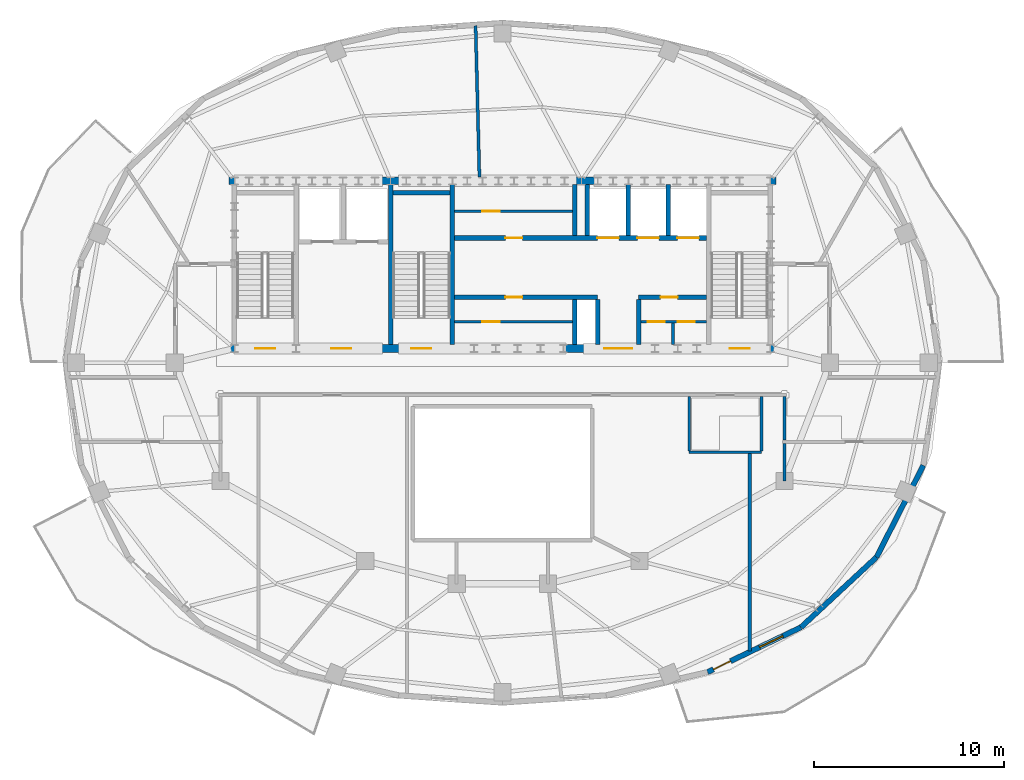
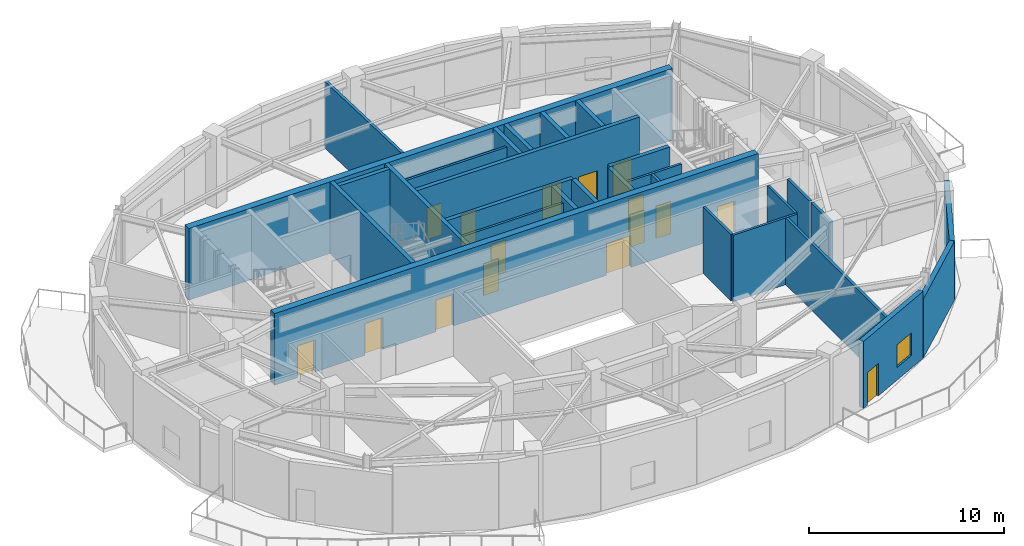
# One storey, part 4 of 9: 29 walls, 16 doors, 1 window, 17 openings.
"""IFC4 building model written with IfcOpenShell, lengths in metres."""

from ifc_helpers import new_model, si_unit, direction, frame, frame_2d, origin, place, context, subcontext, project, spatial, rectangle, extrude, material, layer, layer_set, type_object, element, fill, save


model = new_model("IFC4")

# Units and contexts
model_context = context("Model", 3, precision=1e-05, world=origin(), true_north=direction((0.0, 1.0)))
body_context = subcontext(model_context, "Body", "Model", "MODEL_VIEW")
ifc_project = project(units=[si_unit("LENGTHUNIT", "METRE"), si_unit("AREAUNIT", "SQUARE_METRE"), si_unit("VOLUMEUNIT", "CUBIC_METRE"), si_unit("PLANEANGLEUNIT", "RADIAN"), si_unit("MASSUNIT", "GRAM", prefix="KILO")], contexts=[model_context])

# Site, building, storey
site_placement = place(None, origin())
site = spatial("IfcSite", under=ifc_project, at=site_placement, CompositionType="ELEMENT")
building_placement = place(site_placement, origin())
building = spatial("IfcBuilding", under=site, at=building_placement, Name="Haldorwick Loom Tower", CompositionType="ELEMENT")
storey_placement = place(building_placement, frame((0.0, 0.0, 282.0)))
storey = spatial("IfcBuildingStorey", under=building, at=storey_placement, Name="L76", CompositionType="ELEMENT", Elevation=282.0)

# Wall, openings, door, window
ifc_material_1 = material(Name="Pressed Clay Face Brick and Insulated Masonry Backup Assembly", Category="masonry")
ifc_layer_1 = layer(ifc_material_1, 0.280029296875, Name="Pressed Clay Face Brick and Insulated Masonry Backup Assembly", Category="masonry")
ifc_layer_set_1 = layer_set([ifc_layer_1], Name="Pressed Clay Face Brick and Insulated Masonry Backup Assembly")
wall_type_1 = type_object("IfcWallType", Name="ARC-WL-EXT280", PredefinedType="STANDARD", material=ifc_layer_set_1)
wall_1_placement = place(storey_placement, frame((46.768798828125, 9.755859375, 0.0), z_axis=(0.0, 0.0, 1.0), x_axis=(0.901083511605, 0.433645598518, 0.0)))
wall_1 = element("IfcWall", 1, at=wall_1_placement, inside=storey, type_object=wall_type_1, Name="L76 Brick Pier and Spandrel Wall 21", PredefinedType="STANDARD", context=body_context, shape_type="SweptSolid", body=[
    extrude(rectangle(XDim=5.440185546875, YDim=0.280029296875, at=frame_2d((2.72021484375, 0.0))), origin(), (0.0, 0.0, 1.0), 4.199951171875),
])
opening_1_placement = place(wall_1_placement, frame((0.340087890625, 0.0, 0.0)))
opening_1 = element("IfcOpeningElement", 2, at=opening_1_placement, cuts=wall_1, Name="Opening D-BL10", PredefinedType="OPENING", context=body_context, shape_type="SweptSolid", body=[
    extrude(rectangle(XDim=1.0, YDim=2.0400390625, at=frame_2d((0.5, 1.02001953125))), frame((0.0, 0.14990234375, 0.0), z_axis=(0.0, -1.0, 0.0), x_axis=(1.0, 0.0, 0.0)), (0.0, 0.0, 1.0), 0.300048828125),
])
opening_2_placement = place(wall_1_placement, frame((3.0322265625, 0.0, 0.800048828125)))
opening_2 = element("IfcOpeningElement", 3, at=opening_2_placement, cuts=wall_1, Name="Opening W-02B", PredefinedType="OPENING", context=body_context, shape_type="SweptSolid", body=[
    extrude(rectangle(XDim=1.35009765625, YDim=1.419921875, at=frame_2d((0.675048828125, 0.7099609375))), frame((0.0, 0.14990234375, 0.0), z_axis=(0.0, -1.0, 0.0), x_axis=(1.0, 0.0, 0.0)), (0.0, 0.0, 1.0), 0.300048828125),
])
ifc_material_2 = material(Name="Thermally Broken Anodized Aluminium Curtain Wall Framing", Category="aluminium")
door_type_1 = type_object("IfcDoorType", Name="ARC-DR-BAL100", OperationType="NOTDEFINED", PredefinedType="DOOR", material=ifc_material_2)
door_1_placement = place(opening_1_placement, origin())
door_1 = element("IfcDoor", 4, at=door_1_placement, inside=storey, type_object=door_type_1, Name="L76 Outdoor Terrace Door SLB-L76-BAL_SE", OperationType="SINGLE_SWING_RIGHT", OverallHeight=2.0400390625, OverallWidth=1.0, PredefinedType="DOOR", context=body_context, shape_type="SweptSolid", body=[
    extrude(rectangle(XDim=1.0, YDim=2.0400390625, at=frame_2d((0.5, 1.02001953125))), frame((0.0, 0.02490234375, 0.0), z_axis=(0.0, -1.0, 0.0), x_axis=(1.0, 0.0, 0.0)), (0.0, 0.0, 1.0), 0.050048828125),
])
fill(opening_1, door_1)
ifc_material_3 = material(Name="Triple-Glazed Low-E Argon Insulated Glazing Unit", Category="glass")
window_type = type_object("IfcWindowType", Name="ARC-WIN-W135", PartitioningType="SINGLE_PANEL", PredefinedType="WINDOW", material=ifc_material_3)
window_placement = place(opening_2_placement, origin())
window = element("IfcWindow", 5, at=window_placement, inside=storey, type_object=window_type, Name="L76 Deep-Set Zone 7A Window 21", OverallHeight=1.419921875, OverallWidth=1.35009765625, PartitioningType="SINGLE_PANEL", PredefinedType="WINDOW", context=body_context, shape_type="SweptSolid", body=[
    extrude(rectangle(XDim=1.35009765625, YDim=1.419921875, at=frame_2d((0.675048828125, 0.7099609375))), frame((0.0, 0.030029296875, 0.0), z_axis=(0.0, -1.0, 0.0), x_axis=(1.0, 0.0, 0.0)), (0.0, 0.0, 1.0), 0.06005859375),
])
fill(opening_2, window)

# Walls
for number, where, z_axis, x_axis, name in (
    (6, (51.6708984375, 12.114990234375, 0.0), (0.0, 0.0, 1.0), (0.733156506145, 0.680059951399, 0.0), "L76 Brick Pier and Spandrel Wall 22"),
    (7, (55.638671875, 15.79541015625, 0.0), (0.0, 0.0, 1.0), (0.454417014044, 0.890789075678, 0.0), "L76 Brick Pier and Spandrel Wall 23"),
):
    element("IfcWall", number, at=place(storey_placement, frame(where, z_axis=z_axis, x_axis=x_axis)), inside=storey, type_object=wall_type_1, Name=name, PredefinedType="STANDARD", context=body_context, shape_type="SweptSolid", body=[
        extrude(rectangle(XDim=5.411865234375, YDim=0.280029296875, at=frame_2d((2.7060546875, 0.0))), origin(), (0.0, 0.0, 1.0), 3.708984375),
    ])
ifc_material_4 = material(Name="Fire-Rated Type X Gypsum Stud Assembly EI 60")
ifc_layer_2 = layer(ifc_material_4, 0.159912109375, Name="Fire-Rated Type X Gypsum Stud Assembly EI 60")
ifc_layer_set_2 = layer_set([ifc_layer_2], Name="Fire-Rated Type X Gypsum Stud Assembly EI 60")
wall_type_2 = type_object("IfcWallType", Name="ARC-WL-FIRE160", PredefinedType="PARTITIONING", material=ifc_layer_set_2)
wall_2_placement = place(storey_placement, frame((50.800048828125, 21.93310546875, 0.0), z_axis=(0.0, 0.0, 1.0), x_axis=(0.0, 1.0, 0.0)))
element("IfcWall", 8, at=wall_2_placement, inside=storey, type_object=wall_type_2, Name="L76 Residential Fire Partition L76-CR-STE", PredefinedType="PARTITIONING", context=body_context, shape_type="SweptSolid", body=[
    extrude(rectangle(XDim=2.283935546875, YDim=0.159912109375, at=frame_2d((1.14208984375, 0.0))), origin(), (0.0, 0.0, 1.0), 4.18505859375),
])
wall_3_placement = place(storey_placement, frame((50.800048828125, 21.76708984375, 0.0), z_axis=(0.0, 0.0, 1.0), x_axis=(0.0, -1.0, 0.0)))
element("IfcWall", 9, at=wall_3_placement, inside=storey, type_object=wall_type_2, Name="L76 Residential Fire Partition L76-ICA-01", PredefinedType="PARTITIONING", context=body_context, shape_type="SweptSolid", body=[
    extrude(rectangle(XDim=1.967041015625, YDim=0.159912109375, at=frame_2d((0.9833984375, 0.0))), origin(), (0.0, 0.0, 1.0), 4.18505859375),
])
wall_4_placement = place(storey_placement, frame((34.792236328125, 35.7529296875, 0.0), z_axis=(0.0, 0.0, 1.0), x_axis=(-0.025356947894, 0.999678460903, 0.0)))
element("IfcWall", 10, at=wall_4_placement, inside=storey, type_object=wall_type_2, Name="L76 Residential Fire Partition L76-UPN-C3", PredefinedType="PARTITIONING", context=body_context, shape_type="SweptSolid", body=[
    extrude(rectangle(XDim=7.943115234375, YDim=0.159912109375, at=frame_2d((3.9716796875, 0.0))), origin(), (0.0, 0.0, 1.0), 4.18505859375),
])
wall_5_placement = place(storey_placement, frame((48.984375, 10.8720703125, 0.0), z_axis=(0.0, 0.0, 1.0), x_axis=(0.0, 1.0, 0.0)))
element("IfcWall", 11, at=wall_5_placement, inside=storey, type_object=wall_type_2, Name="L76 Suite Split Wall", PredefinedType="PARTITIONING", context=body_context, shape_type="SweptSolid", body=[
    extrude(rectangle(XDim=10.35498046875, YDim=0.159912109375, at=frame_2d((5.177490234375, 0.0))), origin(), (0.0, 0.0, 1.0), 4.18505859375),
])

# Wall, opening, door
ifc_layer_3 = layer(ifc_material_4, 0.139892578125, Name="Fire-Rated Type X Gypsum Stud Assembly EI 60")
ifc_layer_set_3 = layer_set([ifc_layer_3], Name="Fire-Rated Type X Gypsum Stud Assembly EI 60")
wall_type_3 = type_object("IfcWallType", Name="ARC-WL-PART140", PredefinedType="PARTITIONING", material=ifc_layer_set_3)
wall_6_placement = place(storey_placement, frame((33.492919921875, 33.9599609375, 0.0), z_axis=(0.0, 0.0, 1.0), x_axis=(1.0, 0.0, 0.0)))
wall_6 = element("IfcWall", 12, at=wall_6_placement, inside=storey, type_object=wall_type_3, Name="L76 Alcove Partition", PredefinedType="PARTITIONING", context=body_context, shape_type="SweptSolid", body=[
    extrude(rectangle(XDim=6.18408203125, YDim=0.139892578125, at=frame_2d((3.092041015625, 0.0))), origin(), (0.0, 0.0, 1.0), 4.18505859375),
])
opening_3_placement = place(wall_6_placement, frame((1.45703125, 0.0, 0.0)))
opening_3 = element("IfcOpeningElement", 13, at=opening_3_placement, cuts=wall_6, Name="Opening D-FD60A", PredefinedType="OPENING", context=body_context, shape_type="SweptSolid", body=[
    extrude(rectangle(XDim=0.89990234375, YDim=2.0, at=frame_2d((0.449951171875, 1.0))), frame((0.0, 0.079833984375, 0.0), z_axis=(0.0, -1.0, 0.0), x_axis=(1.0, 0.0, 0.0)), (0.0, 0.0, 1.0), 0.159912109375),
])
ifc_material_5 = material(Name="Hollow Steel Fire Door Assembly", Category="steel")
door_type_2 = type_object("IfcDoorType", Name="ARC-DR-FD60-90", OperationType="NOTDEFINED", PredefinedType="DOOR", material=ifc_material_5)
door_2_placement = place(opening_3_placement, frame((0.89990234375, 0.0, 0.0), z_axis=(0.0, 0.0, 1.0), x_axis=(-1.0, 0.0, 0.0)))
door_2 = element("IfcDoor", 14, at=door_2_placement, inside=storey, type_object=door_type_2, Name="L76 Trunk Store Door", OperationType="SINGLE_SWING_LEFT", OverallHeight=2.0, OverallWidth=0.89990234375, PredefinedType="DOOR", context=body_context, shape_type="SweptSolid", body=[
    extrude(rectangle(XDim=0.89990234375, YDim=2.0, at=frame_2d((0.449951171875, 1.0))), frame((0.0, 0.02490234375, 0.0), z_axis=(0.0, -1.0, 0.0), x_axis=(1.0, 0.0, 0.0)), (0.0, 0.0, 1.0), 0.050048828125),
])
fill(opening_3, door_2)

wall_7_placement = place(storey_placement, frame((33.492919921875, 28.159912109375, 0.0), z_axis=(0.0, 0.0, 1.0), x_axis=(1.0, 0.0, 0.0)))
wall_7 = element("IfcWall", 15, at=wall_7_placement, inside=storey, type_object=wall_type_3, Name="L76 Mid-Bank Horizontal Partition", PredefinedType="PARTITIONING", context=body_context, shape_type="SweptSolid", body=[
    extrude(rectangle(XDim=6.18408203125, YDim=0.139892578125, at=frame_2d((3.092041015625, 0.0))), origin(), (0.0, 0.0, 1.0), 4.18505859375),
])
opening_4_placement = place(wall_7_placement, frame((1.45703125, 0.0, 0.0)))
opening_4 = element("IfcOpeningElement", 16, at=opening_4_placement, cuts=wall_7, Name="Opening D-FD60A", PredefinedType="OPENING", context=body_context, shape_type="SweptSolid", body=[
    extrude(rectangle(XDim=0.89990234375, YDim=2.0, at=frame_2d((0.449951171875, 1.0))), frame((0.0, 0.079833984375, 0.0), z_axis=(0.0, -1.0, 0.0), x_axis=(1.0, 0.0, 0.0)), (0.0, 0.0, 1.0), 0.159912109375),
])
door_3_placement = place(opening_4_placement, origin())
door_3 = element("IfcDoor", 17, at=door_3_placement, inside=storey, type_object=door_type_2, Name="L76 Archive Store Door", OperationType="SINGLE_SWING_RIGHT", OverallHeight=2.0, OverallWidth=0.89990234375, PredefinedType="DOOR", context=body_context, shape_type="SweptSolid", body=[
    extrude(rectangle(XDim=0.89990234375, YDim=2.0, at=frame_2d((0.449951171875, 1.0))), frame((0.0, 0.02490234375, 0.0), z_axis=(0.0, -1.0, 0.0), x_axis=(1.0, 0.0, 0.0)), (0.0, 0.0, 1.0), 0.050048828125),
])
fill(opening_4, door_3)

# Wall, openings, doors
wall_8_placement = place(storey_placement, frame((43.27294921875, 28.159912109375, 0.0), z_axis=(0.0, 0.0, 1.0), x_axis=(1.0, 0.0, 0.0)))
wall_8 = element("IfcWall", 18, at=wall_8_placement, inside=storey, type_object=wall_type_3, Name="L76 Telecom Partition", PredefinedType="PARTITIONING", context=body_context, shape_type="SweptSolid", body=[
    extrude(rectangle(XDim=3.43408203125, YDim=0.139892578125, at=frame_2d((1.717041015625, 0.0))), origin(), (0.0, 0.0, 1.0), 4.18505859375),
])
opening_5_placement = place(wall_8_placement, frame((0.366943359375, 0.0, 0.0)))
opening_5 = element("IfcOpeningElement", 19, at=opening_5_placement, cuts=wall_8, Name="Opening D-BT88", PredefinedType="OPENING", context=body_context, shape_type="SweptSolid", body=[
    extrude(rectangle(XDim=0.8798828125, YDim=2.02001953125, at=frame_2d((0.43994140625, 1.010009765625))), frame((0.0, 0.079833984375, 0.0), z_axis=(0.0, -1.0, 0.0), x_axis=(1.0, 0.0, 0.0)), (0.0, 0.0, 1.0), 0.159912109375),
])
opening_6_placement = place(wall_8_placement, frame((1.93701171875, 0.0, 0.0)))
opening_6 = element("IfcOpeningElement", 20, at=opening_6_placement, cuts=wall_8, Name="Opening D-BT88", PredefinedType="OPENING", context=body_context, shape_type="SweptSolid", body=[
    extrude(rectangle(XDim=0.8798828125, YDim=2.02001953125, at=frame_2d((0.43994140625, 1.010009765625))), frame((0.0, 0.079833984375, 0.0), z_axis=(0.0, -1.0, 0.0), x_axis=(1.0, 0.0, 0.0)), (0.0, 0.0, 1.0), 0.159912109375),
])
ifc_material_6 = material(Name="Solid Core Birch Architectural Door")
door_type_3 = type_object("IfcDoorType", Name="ARC-DR-BATH88", OperationType="NOTDEFINED", PredefinedType="DOOR", material=ifc_material_6)
door_4_placement = place(opening_5_placement, origin())
door_4 = element("IfcDoor", 21, at=door_4_placement, inside=storey, type_object=door_type_3, Name="L76 Telecom Room Door", OperationType="SINGLE_SWING_LEFT", OverallHeight=2.02001953125, OverallWidth=0.8798828125, PredefinedType="DOOR", context=body_context, shape_type="SweptSolid", body=[
    extrude(rectangle(XDim=0.8798828125, YDim=2.02001953125, at=frame_2d((0.43994140625, 1.010009765625))), frame((0.0, 0.02490234375, 0.0), z_axis=(0.0, -1.0, 0.0), x_axis=(1.0, 0.0, 0.0)), (0.0, 0.0, 1.0), 0.050048828125),
])
fill(opening_5, door_4)
door_5_placement = place(opening_6_placement, origin())
door_5 = element("IfcDoor", 22, at=door_5_placement, inside=storey, type_object=door_type_3, Name="L76 Metering Closet Door", OperationType="SINGLE_SWING_RIGHT", OverallHeight=2.02001953125, OverallWidth=0.8798828125, PredefinedType="DOOR", context=body_context, shape_type="SweptSolid", body=[
    extrude(rectangle(XDim=0.8798828125, YDim=2.02001953125, at=frame_2d((0.43994140625, 1.010009765625))), frame((0.0, 0.02490234375, 0.0), z_axis=(0.0, -1.0, 0.0), x_axis=(1.0, 0.0, 0.0)), (0.0, 0.0, 1.0), 0.050048828125),
])
fill(opening_6, door_5)

# Walls
wall_9_placement = place(storey_placement, frame((44.949951171875, 26.952880859375, 0.0), z_axis=(0.0, 0.0, 1.0), x_axis=(0.0, 1.0, 0.0)))
element("IfcWall", 23, at=wall_9_placement, inside=storey, type_object=wall_type_3, Name="L76 Metering Sub-Partition", PredefinedType="PARTITIONING", context=body_context, shape_type="SweptSolid", body=[
    extrude(rectangle(XDim=1.134033203125, YDim=0.139892578125, at=frame_2d((0.56689453125, 0.0))), origin(), (0.0, 0.0, 1.0), 4.18505859375),
])
wall_10_placement = place(storey_placement, frame((45.800048828125, 21.300048828125, 0.0), z_axis=(0.0, 0.0, 1.0), x_axis=(1.0, 0.0, 0.0)))
element("IfcWall", 24, at=wall_10_placement, inside=storey, type_object=wall_type_3, Name="L76 Residential Fire Partition L76-CWC-S", PredefinedType="PARTITIONING", context=body_context, shape_type="SweptSolid", body=[
    extrude(rectangle(XDim=3.800048828125, YDim=0.139892578125, at=frame_2d((1.89990234375, 0.0))), origin(), (0.0, 0.0, 1.0), 4.18505859375),
])
for number, where, z_axis, x_axis, name in (
    (25, (45.800048828125, 21.373046875, 0.0), (0.0, 0.0, 1.0), (0.0, 1.0, 0.0), "L76 Residential Fire Partition L76-CWC-W"),
    (26, (49.60009765625, 21.373046875, 0.0), (0.0, 0.0, 1.0), (0.0, 1.0, 0.0), "L76 Residential Fire Partition L76-CWC-E"),
):
    element("IfcWall", number, at=place(storey_placement, frame(where, z_axis=z_axis, x_axis=x_axis)), inside=storey, type_object=wall_type_3, Name=name, PredefinedType="PARTITIONING", context=body_context, shape_type="SweptSolid", body=[
        extrude(rectangle(XDim=2.843994140625, YDim=0.139892578125, at=frame_2d((1.421875, 0.0))), origin(), (0.0, 0.0, 1.0), 4.18505859375),
    ])

# Wall, openings, doors
ifc_material_7 = material(Name="Concrete C50 (50 MPa)", Category="concrete")
ifc_layer_4 = layer(ifc_material_7, 0.39990234375, Name="Concrete C50 (50 MPa)", Category="concrete")
ifc_layer_set_4 = layer_set([ifc_layer_4], Name="Concrete C50 (50 MPa)")
wall_type_4 = type_object("IfcWallType", Name="STR-WL-CORE400", PredefinedType="SHEAR", material=ifc_layer_set_4)
wall_11_placement = place(storey_placement, frame((21.64990234375, 26.75, 0.0), z_axis=(0.0, 0.0, 1.0), x_axis=(1.0, 0.0, 0.0)))
wall_11 = element("IfcWall", 27, at=wall_11_placement, inside=storey, type_object=wall_type_4, Name="L76 Core Shear Wall S", PredefinedType="SHEAR", context=body_context, shape_type="SweptSolid", body=[
    extrude(rectangle(XDim=28.7001953125, YDim=0.39990234375, at=frame_2d((14.35009765625, 0.0))), origin(), (0.0, 0.0, 1.0), 4.5),
])
opening_7_placement = place(wall_11_placement, frame((1.375, 0.0, 0.0)))
opening_7 = element("IfcOpeningElement", 28, at=opening_7_placement, cuts=wall_11, Name="Opening D-FD60", PredefinedType="OPENING", context=body_context, shape_type="SweptSolid", body=[
    extrude(rectangle(XDim=1.050048828125, YDim=2.0, at=frame_2d((0.52490234375, 1.0))), frame((0.0, 0.2099609375, 0.0), z_axis=(0.0, -1.0, 0.0), x_axis=(1.0, 0.0, 0.0)), (0.0, 0.0, 1.0), 0.419921875),
])
opening_8_placement = place(wall_11_placement, frame((5.375, 0.0, 0.0)))
opening_8 = element("IfcOpeningElement", 29, at=opening_8_placement, cuts=wall_11, Name="Opening D-FD60", PredefinedType="OPENING", context=body_context, shape_type="SweptSolid", body=[
    extrude(rectangle(XDim=1.050048828125, YDim=2.0, at=frame_2d((0.52490234375, 1.0))), frame((0.0, 0.2099609375, 0.0), z_axis=(0.0, -1.0, 0.0), x_axis=(1.0, 0.0, 0.0)), (0.0, 0.0, 1.0), 0.419921875),
])
opening_9_placement = place(wall_11_placement, frame((9.574951171875, 0.0, 0.0)))
opening_9 = element("IfcOpeningElement", 30, at=opening_9_placement, cuts=wall_11, Name="Opening D-FD60", PredefinedType="OPENING", context=body_context, shape_type="SweptSolid", body=[
    extrude(rectangle(XDim=1.050048828125, YDim=2.0, at=frame_2d((0.52490234375, 1.0))), frame((0.0, 0.2099609375, 0.0), z_axis=(0.0, -1.0, 0.0), x_axis=(1.0, 0.0, 0.0)), (0.0, 0.0, 1.0), 0.419921875),
])
opening_10_placement = place(wall_11_placement, frame((19.705078125, 0.0, 0.0)))
opening_10 = element("IfcOpeningElement", 31, at=opening_10_placement, cuts=wall_11, Name="Opening D-LB15", PredefinedType="OPENING", context=body_context, shape_type="SweptSolid", body=[
    extrude(rectangle(XDim=1.449951171875, YDim=2.0, at=frame_2d((0.72509765625, 1.0))), frame((0.0, 0.2099609375, 0.0), z_axis=(0.0, -1.0, 0.0), x_axis=(1.0, 0.0, 0.0)), (0.0, 0.0, 1.0), 0.419921875),
])
opening_11_placement = place(wall_11_placement, frame((26.27490234375, 0.0, 0.0)))
opening_11 = element("IfcOpeningElement", 32, at=opening_11_placement, cuts=wall_11, Name="Opening D-FD60", PredefinedType="OPENING", context=body_context, shape_type="SweptSolid", body=[
    extrude(rectangle(XDim=1.050048828125, YDim=2.0, at=frame_2d((0.52490234375, 1.0))), frame((0.0, 0.2099609375, 0.0), z_axis=(0.0, -1.0, 0.0), x_axis=(1.0, 0.0, 0.0)), (0.0, 0.0, 1.0), 0.419921875),
])
door_type_4 = type_object("IfcDoorType", Name="ARC-DR-FD60", OperationType="NOTDEFINED", PredefinedType="DOOR", material=ifc_material_5)
door_6_placement = place(opening_7_placement, origin())
door_6 = element("IfcDoor", 33, at=door_6_placement, inside=storey, type_object=door_type_4, Name="L76 Exit Stair ST-01 Fire Door", OperationType="SINGLE_SWING_RIGHT", OverallHeight=2.0, OverallWidth=1.050048828125, PredefinedType="DOOR", context=body_context, shape_type="SweptSolid", body=[
    extrude(rectangle(XDim=1.050048828125, YDim=2.0, at=frame_2d((0.52490234375, 1.0))), frame((0.0, 0.02490234375, 0.0), z_axis=(0.0, -1.0, 0.0), x_axis=(1.0, 0.0, 0.0)), (0.0, 0.0, 1.0), 0.050048828125),
])
fill(opening_7, door_6)
door_7_placement = place(opening_8_placement, origin())
door_7 = element("IfcDoor", 34, at=door_7_placement, inside=storey, type_object=door_type_4, Name="L76 Firefighting Lift Lobby Fire Door", OperationType="SINGLE_SWING_LEFT", OverallHeight=2.0, OverallWidth=1.050048828125, PredefinedType="DOOR", context=body_context, shape_type="SweptSolid", body=[
    extrude(rectangle(XDim=1.050048828125, YDim=2.0, at=frame_2d((0.52490234375, 1.0))), frame((0.0, 0.02490234375, 0.0), z_axis=(0.0, -1.0, 0.0), x_axis=(1.0, 0.0, 0.0)), (0.0, 0.0, 1.0), 0.050048828125),
])
fill(opening_8, door_7)
door_8_placement = place(opening_9_placement, origin())
door_8 = element("IfcDoor", 35, at=door_8_placement, inside=storey, type_object=door_type_4, Name="L76 Exit Stair ST-03 Fire Door", OperationType="SINGLE_SWING_LEFT", OverallHeight=2.0, OverallWidth=1.050048828125, PredefinedType="DOOR", context=body_context, shape_type="SweptSolid", body=[
    extrude(rectangle(XDim=1.050048828125, YDim=2.0, at=frame_2d((0.52490234375, 1.0))), frame((0.0, 0.02490234375, 0.0), z_axis=(0.0, -1.0, 0.0), x_axis=(1.0, 0.0, 0.0)), (0.0, 0.0, 1.0), 0.050048828125),
])
fill(opening_9, door_8)
door_9_placement = place(opening_11_placement, origin())
door_9 = element("IfcDoor", 36, at=door_9_placement, inside=storey, type_object=door_type_4, Name="L76 Exit Stair ST-02 Fire Door", OperationType="SINGLE_SWING_LEFT", OverallHeight=2.0, OverallWidth=1.050048828125, PredefinedType="DOOR", context=body_context, shape_type="SweptSolid", body=[
    extrude(rectangle(XDim=1.050048828125, YDim=2.0, at=frame_2d((0.52490234375, 1.0))), frame((0.0, 0.02490234375, 0.0), z_axis=(0.0, -1.0, 0.0), x_axis=(1.0, 0.0, 0.0)), (0.0, 0.0, 1.0), 0.050048828125),
])
fill(opening_11, door_9)
ifc_material_8 = material(Name="Thermally Broken Anodized Aluminium and Tempered Glass", Category="aluminium")
door_type_5 = type_object("IfcDoorType", Name="ARC-DR-LOB150", OperationType="NOTDEFINED", PredefinedType="DOOR", material=ifc_material_8)
door_10_placement = place(opening_10_placement, frame((1.449951171875, 0.0, 0.0), z_axis=(0.0, 0.0, 1.0), x_axis=(-1.0, 0.0, 0.0)))
door_10 = element("IfcDoor", 37, at=door_10_placement, inside=storey, type_object=door_type_5, Name="L76 Passenger Lift Lobby Fire Door", OperationType="DOUBLE_DOOR_SINGLE_SWING", OverallHeight=2.0, OverallWidth=1.449951171875, PredefinedType="DOOR", context=body_context, shape_type="SweptSolid", body=[
    extrude(rectangle(XDim=1.449951171875, YDim=2.0, at=frame_2d((0.72509765625, 1.0))), frame((0.0, 0.02490234375, 0.0), z_axis=(0.0, -1.0, 0.0), x_axis=(1.0, 0.0, 0.0)), (0.0, 0.0, 1.0), 0.050048828125),
])
fill(opening_10, door_10)

# Walls
wall_12_placement = place(storey_placement, frame((50.35009765625, 35.550048828125, 0.0), z_axis=(0.0, 0.0, 1.0), x_axis=(-1.0, 0.0, 0.0)))
element("IfcWall", 38, at=wall_12_placement, inside=storey, type_object=wall_type_4, Name="L76 Core Shear Wall N", PredefinedType="SHEAR", context=body_context, shape_type="SweptSolid", body=[
    extrude(rectangle(XDim=28.7001953125, YDim=0.39990234375, at=frame_2d((14.35009765625, 0.0))), origin(), (0.0, 0.0, 1.0), 4.5),
])
ifc_layer_5 = layer(ifc_material_7, 0.239990234375, Name="Concrete C50 (50 MPa)", Category="concrete")
ifc_layer_set_5 = layer_set([ifc_layer_5], Name="Concrete C50 (50 MPa)")
wall_type_5 = type_object("IfcWallType", Name="STR-WL-SHAFT240", PredefinedType="SHEAR", material=ifc_layer_set_5)
for number, where, z_axis, x_axis, name in (
    (39, (30.1298828125, 26.952880859375, 0.0), (0.0, 0.0, 1.0), (0.0, 1.0, 0.0), "L76 Core Shear Wall 2"),
    (40, (33.3701171875, 26.952880859375, 0.0), (0.0, 0.0, 1.0), (0.0, 1.0, 0.0), "L76 Core Shear Wall 3"),
):
    element("IfcWall", number, at=place(storey_placement, frame(where, z_axis=z_axis, x_axis=x_axis)), inside=storey, type_object=wall_type_5, Name=name, PredefinedType="SHEAR", context=body_context, shape_type="SweptSolid", body=[
        extrude(rectangle(XDim=8.39404296875, YDim=0.239990234375, at=frame_2d((4.197021484375, 0.0))), origin(), (0.0, 0.0, 1.0), 4.5),
    ])
wall_13_placement = place(storey_placement, frame((30.2529296875, 34.919921875, 0.0), z_axis=(0.0, 0.0, 1.0), x_axis=(1.0, 0.0, 0.0)))
element("IfcWall", 41, at=wall_13_placement, inside=storey, type_object=wall_type_5, Name="L76 Core Shear Wall 3N", PredefinedType="SHEAR", context=body_context, shape_type="SweptSolid", body=[
    extrude(rectangle(XDim=2.994140625, YDim=0.239990234375, at=frame_2d((1.4970703125, 0.0))), origin(), (0.0, 0.0, 1.0), 4.5),
])

# Wall, openings, doors
wall_14_placement = place(storey_placement, frame((33.492919921875, 32.550048828125, 0.0), z_axis=(0.0, 0.0, 1.0), x_axis=(1.0, 0.0, 0.0)))
wall_14 = element("IfcWall", 42, at=wall_14_placement, inside=storey, type_object=wall_type_5, Name="L76 Core Shear Wall LN", PredefinedType="SHEAR", context=body_context, shape_type="SweptSolid", body=[
    extrude(rectangle(XDim=13.214111328125, YDim=0.239990234375, at=frame_2d((6.60693359375, 0.0))), origin(), (0.0, 0.0, 1.0), 4.5),
])
opening_12_placement = place(wall_14_placement, frame((2.656982421875, 0.0, 0.0)))
opening_12 = element("IfcOpeningElement", 43, at=opening_12_placement, cuts=wall_14, Name="Opening D-FD60A", PredefinedType="OPENING", context=body_context, shape_type="SweptSolid", body=[
    extrude(rectangle(XDim=0.89990234375, YDim=2.0, at=frame_2d((0.449951171875, 1.0))), frame((0.0, 0.1298828125, 0.0), z_axis=(0.0, -1.0, 0.0), x_axis=(1.0, 0.0, 0.0)), (0.0, 0.0, 1.0), 0.260009765625),
])
opening_13_placement = place(wall_14_placement, frame((7.4970703125, 0.0, 0.0)))
opening_13 = element("IfcOpeningElement", 44, at=opening_13_placement, cuts=wall_14, Name="Opening LD-H1", PredefinedType="OPENING", context=body_context, shape_type="SweptSolid", body=[
    extrude(rectangle(XDim=1.1201171875, YDim=2.0, at=frame_2d((0.56005859375, 1.0))), frame((0.0, 0.1298828125, 0.0), z_axis=(0.0, -1.0, 0.0), x_axis=(1.0, 0.0, 0.0)), (0.0, 0.0, 1.0), 0.260009765625),
])
opening_14_placement = place(wall_14_placement, frame((9.596923828125, 0.0, 0.0)))
opening_14 = element("IfcOpeningElement", 45, at=opening_14_placement, cuts=wall_14, Name="Opening LD-H2", PredefinedType="OPENING", context=body_context, shape_type="SweptSolid", body=[
    extrude(rectangle(XDim=1.1201171875, YDim=2.0, at=frame_2d((0.56005859375, 1.0))), frame((0.0, 0.1298828125, 0.0), z_axis=(0.0, -1.0, 0.0), x_axis=(1.0, 0.0, 0.0)), (0.0, 0.0, 1.0), 0.260009765625),
])
opening_15_placement = place(wall_14_placement, frame((11.697021484375, 0.0, 0.0)))
opening_15 = element("IfcOpeningElement", 46, at=opening_15_placement, cuts=wall_14, Name="Opening LD-H3", PredefinedType="OPENING", context=body_context, shape_type="SweptSolid", body=[
    extrude(rectangle(XDim=1.1201171875, YDim=2.0, at=frame_2d((0.56005859375, 1.0))), frame((0.0, 0.1298828125, 0.0), z_axis=(0.0, -1.0, 0.0), x_axis=(1.0, 0.0, 0.0)), (0.0, 0.0, 1.0), 0.260009765625),
])
door_11_placement = place(opening_12_placement, frame((0.89990234375, 0.0, 0.0), z_axis=(0.0, 0.0, 1.0), x_axis=(-1.0, 0.0, 0.0)))
door_11 = element("IfcDoor", 47, at=door_11_placement, inside=storey, type_object=door_type_2, Name="L76 Floor Equipment Door", OperationType="SINGLE_SWING_RIGHT", OverallHeight=2.0, OverallWidth=0.89990234375, PredefinedType="DOOR", context=body_context, shape_type="SweptSolid", body=[
    extrude(rectangle(XDim=0.89990234375, YDim=2.0, at=frame_2d((0.449951171875, 1.0))), frame((0.0, 0.02490234375, 0.0), z_axis=(0.0, -1.0, 0.0), x_axis=(1.0, 0.0, 0.0)), (0.0, 0.0, 1.0), 0.050048828125),
])
fill(opening_12, door_11)
door_type_6 = type_object("IfcDoorType", Name="ARC-DR-LD-PAX", OperationType="NOTDEFINED", PredefinedType="USERDEFINED", material=ifc_material_5)
door_12_placement = place(opening_13_placement, origin())
door_12 = element("IfcDoor", 48, at=door_12_placement, inside=storey, type_object=door_type_6, Name="L76 Lift LF-H1 Sliding Landing Door", ObjectType="LANDING DOOR", OperationType="DOUBLE_DOOR_SLIDING", OverallHeight=2.0, OverallWidth=1.1201171875, PredefinedType="USERDEFINED", context=body_context, shape_type="SweptSolid", body=[
    extrude(rectangle(XDim=1.1201171875, YDim=2.0, at=frame_2d((0.56005859375, 1.0))), frame((0.0, 0.02490234375, 0.0), z_axis=(0.0, -1.0, 0.0), x_axis=(1.0, 0.0, 0.0)), (0.0, 0.0, 1.0), 0.050048828125),
])
fill(opening_13, door_12)
door_13_placement = place(opening_14_placement, origin())
door_13 = element("IfcDoor", 49, at=door_13_placement, inside=storey, type_object=door_type_6, Name="L76 Lift LF-H2 Sliding Landing Door", ObjectType="LANDING DOOR", OperationType="DOUBLE_DOOR_SLIDING", OverallHeight=2.0, OverallWidth=1.1201171875, PredefinedType="USERDEFINED", context=body_context, shape_type="SweptSolid", body=[
    extrude(rectangle(XDim=1.1201171875, YDim=2.0, at=frame_2d((0.56005859375, 1.0))), frame((0.0, 0.02490234375, 0.0), z_axis=(0.0, -1.0, 0.0), x_axis=(1.0, 0.0, 0.0)), (0.0, 0.0, 1.0), 0.050048828125),
])
fill(opening_14, door_13)
door_14_placement = place(opening_15_placement, origin())
door_14 = element("IfcDoor", 50, at=door_14_placement, inside=storey, type_object=door_type_6, Name="L76 Lift LF-H3 Sliding Landing Door", ObjectType="LANDING DOOR", OperationType="DOUBLE_DOOR_SLIDING", OverallHeight=2.0, OverallWidth=1.1201171875, PredefinedType="USERDEFINED", context=body_context, shape_type="SweptSolid", body=[
    extrude(rectangle(XDim=1.1201171875, YDim=2.0, at=frame_2d((0.56005859375, 1.0))), frame((0.0, 0.02490234375, 0.0), z_axis=(0.0, -1.0, 0.0), x_axis=(1.0, 0.0, 0.0)), (0.0, 0.0, 1.0), 0.050048828125),
])
fill(opening_15, door_14)

# Wall, opening, door
wall_15_placement = place(storey_placement, frame((33.492919921875, 29.449951171875, 0.0), z_axis=(0.0, 0.0, 1.0), x_axis=(1.0, 0.0, 0.0)))
wall_15 = element("IfcWall", 51, at=wall_15_placement, inside=storey, type_object=wall_type_5, Name="L76 Core Shear Wall LS1", PredefinedType="SHEAR", context=body_context, shape_type="SweptSolid", body=[
    extrude(rectangle(XDim=7.507080078125, YDim=0.239990234375, at=frame_2d((3.75341796875, 0.0))), origin(), (0.0, 0.0, 1.0), 4.5),
])
opening_16_placement = place(wall_15_placement, frame((2.656982421875, 0.0, 0.0)))
opening_16 = element("IfcOpeningElement", 52, at=opening_16_placement, cuts=wall_15, Name="Opening D-FD60A", PredefinedType="OPENING", context=body_context, shape_type="SweptSolid", body=[
    extrude(rectangle(XDim=0.89990234375, YDim=2.0, at=frame_2d((0.449951171875, 1.0))), frame((0.0, 0.1298828125, 0.0), z_axis=(0.0, -1.0, 0.0), x_axis=(1.0, 0.0, 0.0)), (0.0, 0.0, 1.0), 0.260009765625),
])
door_15_placement = place(opening_16_placement, origin())
door_15 = element("IfcDoor", 53, at=door_15_placement, inside=storey, type_object=door_type_2, Name="L76 Metering Closet Door", OperationType="SINGLE_SWING_LEFT", OverallHeight=2.0, OverallWidth=0.89990234375, PredefinedType="DOOR", context=body_context, shape_type="SweptSolid", body=[
    extrude(rectangle(XDim=0.89990234375, YDim=2.0, at=frame_2d((0.449951171875, 1.0))), frame((0.0, 0.02490234375, 0.0), z_axis=(0.0, -1.0, 0.0), x_axis=(1.0, 0.0, 0.0)), (0.0, 0.0, 1.0), 0.050048828125),
])
fill(opening_16, door_15)

wall_16_placement = place(storey_placement, frame((43.14990234375, 29.449951171875, 0.0), z_axis=(0.0, 0.0, 1.0), x_axis=(1.0, 0.0, 0.0)))
wall_16 = element("IfcWall", 54, at=wall_16_placement, inside=storey, type_object=wall_type_5, Name="L76 Core Shear Wall LS2", PredefinedType="SHEAR", context=body_context, shape_type="SweptSolid", body=[
    extrude(rectangle(XDim=3.55712890625, YDim=0.239990234375, at=frame_2d((1.778564453125, 0.0))), origin(), (0.0, 0.0, 1.0), 4.5),
])
opening_17_placement = place(wall_16_placement, frame((1.14990234375, 0.0, 0.0)))
opening_17 = element("IfcOpeningElement", 55, at=opening_17_placement, cuts=wall_16, Name="Opening D-FD60A", PredefinedType="OPENING", context=body_context, shape_type="SweptSolid", body=[
    extrude(rectangle(XDim=0.89990234375, YDim=2.0, at=frame_2d((0.449951171875, 1.0))), frame((0.0, 0.1298828125, 0.0), z_axis=(0.0, -1.0, 0.0), x_axis=(1.0, 0.0, 0.0)), (0.0, 0.0, 1.0), 0.260009765625),
])
door_16_placement = place(opening_17_placement, origin())
door_16 = element("IfcDoor", 56, at=door_16_placement, inside=storey, type_object=door_type_2, Name="L76 Janitor Closet Door", OperationType="SINGLE_SWING_LEFT", OverallHeight=2.0, OverallWidth=0.89990234375, PredefinedType="DOOR", context=body_context, shape_type="SweptSolid", body=[
    extrude(rectangle(XDim=0.89990234375, YDim=2.0, at=frame_2d((0.449951171875, 1.0))), frame((0.0, 0.02490234375, 0.0), z_axis=(0.0, -1.0, 0.0), x_axis=(1.0, 0.0, 0.0)), (0.0, 0.0, 1.0), 0.050048828125),
])
fill(opening_17, door_16)

# Walls
for number, where, z_axis, x_axis, name in (
    (57, (41.0, 26.952880859375, 0.0), (0.0, 0.0, 1.0), (0.0, 1.0, 0.0), "L76 Core Shear Wall THW"),
    (58, (43.14990234375, 26.952880859375, 0.0), (0.0, 0.0, 1.0), (0.0, 1.0, 0.0), "L76 Core Shear Wall THE"),
):
    element("IfcWall", number, at=place(storey_placement, frame(where, z_axis=z_axis, x_axis=x_axis)), inside=storey, type_object=wall_type_5, Name=name, PredefinedType="SHEAR", context=body_context, shape_type="SweptSolid", body=[
        extrude(rectangle(XDim=2.3740234375, YDim=0.239990234375, at=frame_2d((1.18701171875, 0.0))), origin(), (0.0, 0.0, 1.0), 4.5),
    ])
for number, where, z_axis, x_axis, name in (
    (59, (39.800048828125, 32.673095703125, 0.0), (0.0, 0.0, 1.0), (0.0, 1.0, 0.0), "L76 Core Shear Wall LHW"),
    (60, (40.449951171875, 32.673095703125, 0.0), (0.0, 0.0, 1.0), (0.0, 1.0, 0.0), "L76 Core Shear Wall H0"),
    (61, (42.60009765625, 32.673095703125, 0.0), (0.0, 0.0, 1.0), (0.0, 1.0, 0.0), "L76 Core Shear Wall H1"),
    (62, (44.699951171875, 32.673095703125, 0.0), (0.0, 0.0, 1.0), (0.0, 1.0, 0.0), "L76 Core Shear Wall H2"),
):
    element("IfcWall", number, at=place(storey_placement, frame(where, z_axis=z_axis, x_axis=x_axis)), inside=storey, type_object=wall_type_5, Name=name, PredefinedType="SHEAR", context=body_context, shape_type="SweptSolid", body=[
        extrude(rectangle(XDim=2.673828125, YDim=0.239990234375, at=frame_2d((1.3369140625, 0.0))), origin(), (0.0, 0.0, 1.0), 4.5),
    ])
wall_17_placement = place(storey_placement, frame((39.800048828125, 26.952880859375, 0.0), z_axis=(0.0, 0.0, 1.0), x_axis=(0.0, 1.0, 0.0)))
element("IfcWall", 63, at=wall_17_placement, inside=storey, type_object=wall_type_5, Name="L76 Core Shear Wall MRW", PredefinedType="SHEAR", context=body_context, shape_type="SweptSolid", body=[
    extrude(rectangle(XDim=2.3740234375, YDim=0.239990234375, at=frame_2d((1.18701171875, 0.0))), origin(), (0.0, 0.0, 1.0), 4.5),
])

save(model, "model.ifc")
